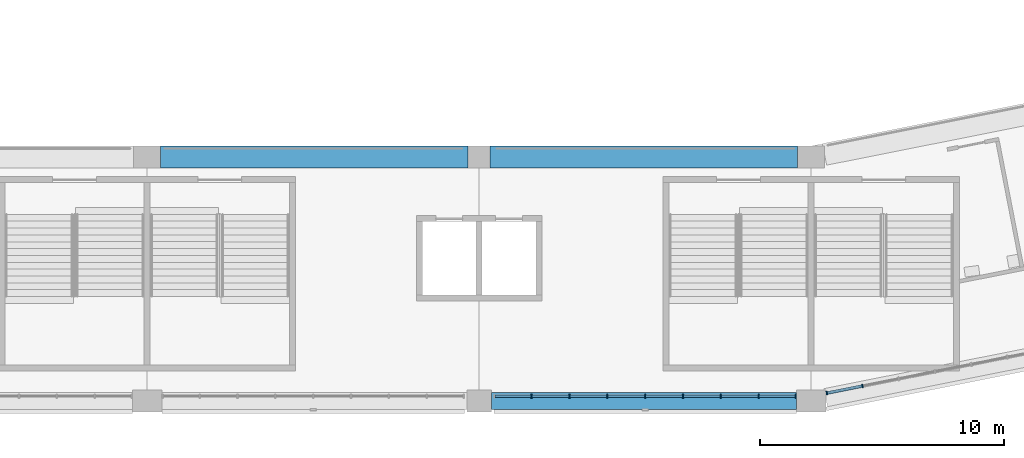
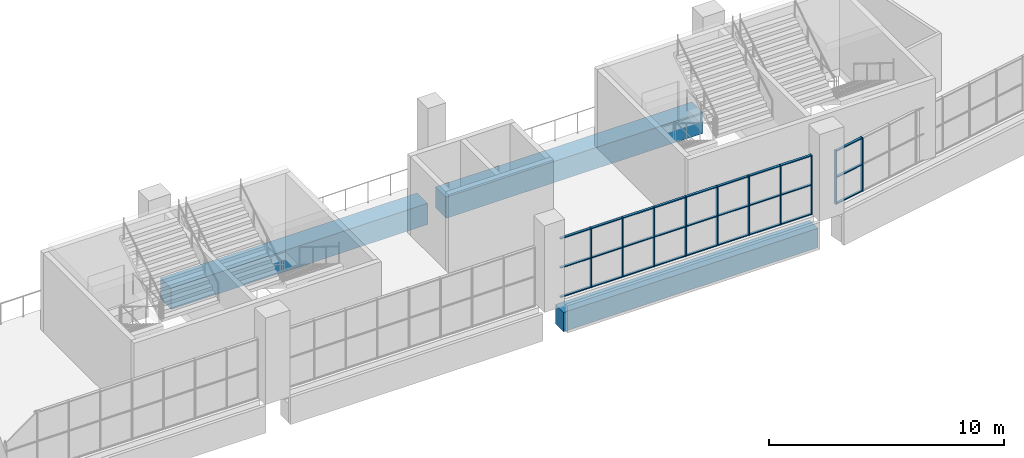
# One storey, part 11 of 177: 37 members, 3 beams, 2 elements without a shape of their own.
"""IFC4 building model written with IfcOpenShell, lengths in metres."""

from ifc_helpers import new_model, si_unit, direction, frame, origin, origin_2d, place, context, subcontext, project, spatial, rectangle, extrude, material, material_profile, profile_set, type_object, element, aggregate, save


model = new_model("IFC4")

# Units and contexts
model_context = context("Model", 3, precision=1e-05, world=origin(), true_north=direction((0.0, 1.0)))
body_context = subcontext(model_context, "Body", "Model", "MODEL_VIEW")
ifc_project = project(units=[si_unit("LENGTHUNIT", "METRE"), si_unit("AREAUNIT", "SQUARE_METRE"), si_unit("VOLUMEUNIT", "CUBIC_METRE"), si_unit("PLANEANGLEUNIT", "RADIAN"), si_unit("MASSUNIT", "GRAM", prefix="KILO")], contexts=[model_context])

# Site, building, storey
site_placement = place(None, origin())
site = spatial("IfcSite", under=ifc_project, at=site_placement, CompositionType="ELEMENT")
building_placement = place(site_placement, origin())
building = spatial("IfcBuilding", under=site, at=building_placement, Name="Ogive Plaza Stadium", CompositionType="ELEMENT")
storey_placement = place(building_placement, frame((0.0, 0.0, 18.0)))
storey = spatial("IfcBuildingStorey", under=building, at=storey_placement, Name="L04", CompositionType="ELEMENT", Elevation=18.0)

# Curtain wall, members
ifc_material_1 = material(Name="Bronze-anodised aluminium with laminated glass", Category="aluminium")
curtain_wall_type = type_object("IfcCurtainWallType", Name="Lancet curtain wall", PredefinedType="NOTDEFINED", material=ifc_material_1)
curtain_wall_1_placement = place(storey_placement, origin())
curtain_wall_1 = element("IfcCurtainWall", 1, at=curtain_wall_1_placement, inside=storey, type_object=curtain_wall_type, Name="CURTAIN WALL B11 L04", PredefinedType="NOTDEFINED")
ifc_material_2 = material(Name="Bronze-anodised aluminium", Category="aluminium")
ifc_material_profile_1 = material_profile(ifc_material_2, rectangle(XDim=0.14990234375, YDim=0.050048828125, at=origin_2d()), Name="AL 150x50")
ifc_profile_set_1 = profile_set([ifc_material_profile_1], Name="Bronze-anodised aluminium")
member_type_1 = type_object("IfcMemberType", Name="Curtain wall mullion 50x150", PredefinedType="MULLION", material=ifc_profile_set_1)
member_1_placement = place(storey_placement, frame((36.104248046875, -101.87744140625, 0.0), z_axis=(0.0, 0.0, 1.0), x_axis=(0.195090322016, -0.980785280403, 0.0)))
member_1 = element("IfcMember", 2, at=member_1_placement, type_object=member_type_1, Name="CW-B11-L04 mullion 12", PredefinedType="MULLION", context=body_context, shape_type="SweptSolid", body=[
    extrude(rectangle(XDim=0.14990234375, YDim=0.050048828125, at=origin_2d()), origin(), (0.0, 0.0, 1.0), 2.7900390625),
])
member_2_placement = place(storey_placement, frame((34.64404296875, -102.16796875, 0.0), z_axis=(0.0, 0.0, 1.0), x_axis=(0.195090322016, -0.980785280403, 0.0)))
member_2 = element("IfcMember", 3, at=member_2_placement, type_object=member_type_1, Name="CW-B11-L04 mullion 13", PredefinedType="MULLION", context=body_context, shape_type="SweptSolid", body=[
    extrude(rectangle(XDim=0.14990234375, YDim=0.050048828125, at=origin_2d()), origin(), (0.0, 0.0, 1.0), 2.7900390625),
])

curtain_wall_2_placement = place(storey_placement, origin())
curtain_wall_2 = element("IfcCurtainWall", 4, at=curtain_wall_2_placement, inside=storey, type_object=curtain_wall_type, Name="CURTAIN WALL B12 L04", PredefinedType="NOTDEFINED")
member_3_placement = place(storey_placement, frame((33.375, -102.300048828125, 0.0), z_axis=(0.0, 0.0, 1.0), x_axis=(0.0, -1.0, 0.0)))
member_3 = element("IfcMember", 5, at=member_3_placement, type_object=member_type_1, Name="CW-B12-L04 mullion 1", PredefinedType="MULLION", context=body_context, shape_type="SweptSolid", body=[
    extrude(rectangle(XDim=0.14990234375, YDim=0.050048828125, at=origin_2d()), origin(), (0.0, 0.0, 1.0), 3.090087890625),
])
member_4_placement = place(storey_placement, frame((31.85009765625, -102.300048828125, 0.0), z_axis=(0.0, 0.0, 1.0), x_axis=(0.0, -1.0, 0.0)))
member_4 = element("IfcMember", 6, at=member_4_placement, type_object=member_type_1, Name="CW-B12-L04 mullion 2", PredefinedType="MULLION", context=body_context, shape_type="SweptSolid", body=[
    extrude(rectangle(XDim=0.14990234375, YDim=0.050048828125, at=origin_2d()), origin(), (0.0, 0.0, 1.0), 3.090087890625),
])
member_5_placement = place(storey_placement, frame((30.300048828125, -102.300048828125, 0.0), z_axis=(0.0, 0.0, 1.0), x_axis=(0.0, -1.0, 0.0)))
member_5 = element("IfcMember", 7, at=member_5_placement, type_object=member_type_1, Name="CW-B12-L04 mullion 3", PredefinedType="MULLION", context=body_context, shape_type="SweptSolid", body=[
    extrude(rectangle(XDim=0.14990234375, YDim=0.050048828125, at=origin_2d()), origin(), (0.0, 0.0, 1.0), 3.090087890625),
])
member_6_placement = place(storey_placement, frame((28.75, -102.300048828125, 0.0), z_axis=(0.0, 0.0, 1.0), x_axis=(0.0, -1.0, 0.0)))
member_6 = element("IfcMember", 8, at=member_6_placement, type_object=member_type_1, Name="CW-B12-L04 mullion 4", PredefinedType="MULLION", context=body_context, shape_type="SweptSolid", body=[
    extrude(rectangle(XDim=0.14990234375, YDim=0.050048828125, at=origin_2d()), origin(), (0.0, 0.0, 1.0), 3.090087890625),
])
member_7_placement = place(storey_placement, frame((27.199951171875, -102.300048828125, 0.0), z_axis=(0.0, 0.0, 1.0), x_axis=(0.0, -1.0, 0.0)))
member_7 = element("IfcMember", 9, at=member_7_placement, type_object=member_type_1, Name="CW-B12-L04 mullion 5", PredefinedType="MULLION", context=body_context, shape_type="SweptSolid", body=[
    extrude(rectangle(XDim=0.14990234375, YDim=0.050048828125, at=origin_2d()), origin(), (0.0, 0.0, 1.0), 3.090087890625),
])
member_8_placement = place(storey_placement, frame((25.64990234375, -102.300048828125, 0.0), z_axis=(0.0, 0.0, 1.0), x_axis=(0.0, -1.0, 0.0)))
member_8 = element("IfcMember", 10, at=member_8_placement, type_object=member_type_1, Name="CW-B12-L04 mullion 6", PredefinedType="MULLION", context=body_context, shape_type="SweptSolid", body=[
    extrude(rectangle(XDim=0.14990234375, YDim=0.050048828125, at=origin_2d()), origin(), (0.0, 0.0, 1.0), 3.090087890625),
])
member_9_placement = place(storey_placement, frame((24.10009765625, -102.300048828125, 0.0), z_axis=(0.0, 0.0, 1.0), x_axis=(0.0, -1.0, 0.0)))
member_9 = element("IfcMember", 11, at=member_9_placement, type_object=member_type_1, Name="CW-B12-L04 mullion 7", PredefinedType="MULLION", context=body_context, shape_type="SweptSolid", body=[
    extrude(rectangle(XDim=0.14990234375, YDim=0.050048828125, at=origin_2d()), origin(), (0.0, 0.0, 1.0), 3.090087890625),
])
member_10_placement = place(storey_placement, frame((22.550048828125, -102.300048828125, 0.0), z_axis=(0.0, 0.0, 1.0), x_axis=(0.0, -1.0, 0.0)))
member_10 = element("IfcMember", 12, at=member_10_placement, type_object=member_type_1, Name="CW-B12-L04 mullion 8", PredefinedType="MULLION", context=body_context, shape_type="SweptSolid", body=[
    extrude(rectangle(XDim=0.14990234375, YDim=0.050048828125, at=origin_2d()), origin(), (0.0, 0.0, 1.0), 3.090087890625),
])

# Member
ifc_material_3 = material(Name="Bronze-anodised aluminium", Category="aluminium")
ifc_material_profile_2 = material_profile(ifc_material_3, rectangle(XDim=0.1201171875, YDim=0.050048828125, at=origin_2d()), Name="AL 120x50")
ifc_profile_set_2 = profile_set([ifc_material_profile_2], Name="Bronze-anodised aluminium")
member_type_2 = type_object("IfcMemberType", Name="Curtain wall transom 50x120", PredefinedType="USERDEFINED", material=ifc_profile_set_2)
member_11_placement = place(storey_placement, frame((36.079833984375, -101.88232421875, 0.02490234375), z_axis=(-0.980782436465, -0.195104618913, 0.0), x_axis=(0.195104618913, -0.980782436465, 0.0)))
member_11 = element("IfcMember", 13, at=member_11_placement, type_object=member_type_2, Name="CW-B11-L04 transom 12.1", ObjectType="TRANSOM", PredefinedType="USERDEFINED", context=body_context, shape_type="SweptSolid", body=[
    extrude(rectangle(XDim=0.1201171875, YDim=0.050048828125, at=origin_2d()), origin(), (0.0, 0.0, 1.0), 1.43896484375),
])

member_12_placement = place(storey_placement, frame((36.079833984375, -101.88232421875, 1.39501953125), z_axis=(-0.980782436465, -0.195104618913, 0.0), x_axis=(0.195104618913, -0.980782436465, 0.0)))
member_12 = element("IfcMember", 14, at=member_12_placement, type_object=member_type_2, Name="CW-B11-L04 transom 12.2", ObjectType="TRANSOM", PredefinedType="USERDEFINED", context=body_context, shape_type="SweptSolid", body=[
    extrude(rectangle(XDim=0.1201171875, YDim=0.050048828125, at=origin_2d()), origin(), (0.0, 0.0, 1.0), 1.43896484375),
])

member_13_placement = place(storey_placement, frame((36.079833984375, -101.88232421875, 2.764892578125), z_axis=(-0.980782436465, -0.195104618913, 0.0), x_axis=(0.195104618913, -0.980782436465, 0.0)))
member_13 = element("IfcMember", 15, at=member_13_placement, type_object=member_type_2, Name="CW-B11-L04 transom 12.3", ObjectType="TRANSOM", PredefinedType="USERDEFINED", context=body_context, shape_type="SweptSolid", body=[
    extrude(rectangle(XDim=0.1201171875, YDim=0.050048828125, at=origin_2d()), origin(), (0.0, 0.0, 1.0), 1.43896484375),
])

aggregate(curtain_wall_1, [member_1, member_2, member_11, member_12, member_13])

member_14_placement = place(storey_placement, frame((33.35009765625, -102.300048828125, 0.02490234375), z_axis=(-1.0, 0.0, 0.0), x_axis=(0.0, -1.0, 0.0)))
member_14 = element("IfcMember", 16, at=member_14_placement, type_object=member_type_2, Name="CW-B12-L04 transom 1.1", ObjectType="TRANSOM", PredefinedType="USERDEFINED", context=body_context, shape_type="SweptSolid", body=[
    extrude(rectangle(XDim=0.1201171875, YDim=0.050048828125, at=origin_2d()), origin(), (0.0, 0.0, 1.0), 1.47509765625),
])

member_15_placement = place(storey_placement, frame((33.35009765625, -102.300048828125, 1.544921875), z_axis=(-1.0, 0.0, 0.0), x_axis=(0.0, -1.0, 0.0)))
member_15 = element("IfcMember", 17, at=member_15_placement, type_object=member_type_2, Name="CW-B12-L04 transom 1.2", ObjectType="TRANSOM", PredefinedType="USERDEFINED", context=body_context, shape_type="SweptSolid", body=[
    extrude(rectangle(XDim=0.1201171875, YDim=0.050048828125, at=origin_2d()), origin(), (0.0, 0.0, 1.0), 1.47509765625),
])

member_16_placement = place(storey_placement, frame((33.35009765625, -102.300048828125, 3.06494140625), z_axis=(-1.0, 0.0, 0.0), x_axis=(0.0, -1.0, 0.0)))
member_16 = element("IfcMember", 18, at=member_16_placement, type_object=member_type_2, Name="CW-B12-L04 transom 1.3", ObjectType="TRANSOM", PredefinedType="USERDEFINED", context=body_context, shape_type="SweptSolid", body=[
    extrude(rectangle(XDim=0.1201171875, YDim=0.050048828125, at=origin_2d()), origin(), (0.0, 0.0, 1.0), 1.47509765625),
])

member_17_placement = place(storey_placement, frame((31.824951171875, -102.300048828125, 0.02490234375), z_axis=(-1.0, 0.0, 0.0), x_axis=(0.0, -1.0, 0.0)))
member_17 = element("IfcMember", 19, at=member_17_placement, type_object=member_type_2, Name="CW-B12-L04 transom 2.1", ObjectType="TRANSOM", PredefinedType="USERDEFINED", context=body_context, shape_type="SweptSolid", body=[
    extrude(rectangle(XDim=0.1201171875, YDim=0.050048828125, at=origin_2d()), origin(), (0.0, 0.0, 1.0), 1.5),
])

member_18_placement = place(storey_placement, frame((31.824951171875, -102.300048828125, 1.544921875), z_axis=(-1.0, 0.0, 0.0), x_axis=(0.0, -1.0, 0.0)))
member_18 = element("IfcMember", 20, at=member_18_placement, type_object=member_type_2, Name="CW-B12-L04 transom 2.2", ObjectType="TRANSOM", PredefinedType="USERDEFINED", context=body_context, shape_type="SweptSolid", body=[
    extrude(rectangle(XDim=0.1201171875, YDim=0.050048828125, at=origin_2d()), origin(), (0.0, 0.0, 1.0), 1.5),
])

member_19_placement = place(storey_placement, frame((31.824951171875, -102.300048828125, 3.06494140625), z_axis=(-1.0, 0.0, 0.0), x_axis=(0.0, -1.0, 0.0)))
member_19 = element("IfcMember", 21, at=member_19_placement, type_object=member_type_2, Name="CW-B12-L04 transom 2.3", ObjectType="TRANSOM", PredefinedType="USERDEFINED", context=body_context, shape_type="SweptSolid", body=[
    extrude(rectangle(XDim=0.1201171875, YDim=0.050048828125, at=origin_2d()), origin(), (0.0, 0.0, 1.0), 1.5),
])

member_20_placement = place(storey_placement, frame((30.27490234375, -102.300048828125, 0.02490234375), z_axis=(-1.0, 0.0, 0.0), x_axis=(0.0, -1.0, 0.0)))
member_20 = element("IfcMember", 22, at=member_20_placement, type_object=member_type_2, Name="CW-B12-L04 transom 3.1", ObjectType="TRANSOM", PredefinedType="USERDEFINED", context=body_context, shape_type="SweptSolid", body=[
    extrude(rectangle(XDim=0.1201171875, YDim=0.050048828125, at=origin_2d()), origin(), (0.0, 0.0, 1.0), 1.5),
])

member_21_placement = place(storey_placement, frame((30.27490234375, -102.300048828125, 1.544921875), z_axis=(-1.0, 0.0, 0.0), x_axis=(0.0, -1.0, 0.0)))
member_21 = element("IfcMember", 23, at=member_21_placement, type_object=member_type_2, Name="CW-B12-L04 transom 3.2", ObjectType="TRANSOM", PredefinedType="USERDEFINED", context=body_context, shape_type="SweptSolid", body=[
    extrude(rectangle(XDim=0.1201171875, YDim=0.050048828125, at=origin_2d()), origin(), (0.0, 0.0, 1.0), 1.5),
])

member_22_placement = place(storey_placement, frame((30.27490234375, -102.300048828125, 3.06494140625), z_axis=(-1.0, 0.0, 0.0), x_axis=(0.0, -1.0, 0.0)))
member_22 = element("IfcMember", 24, at=member_22_placement, type_object=member_type_2, Name="CW-B12-L04 transom 3.3", ObjectType="TRANSOM", PredefinedType="USERDEFINED", context=body_context, shape_type="SweptSolid", body=[
    extrude(rectangle(XDim=0.1201171875, YDim=0.050048828125, at=origin_2d()), origin(), (0.0, 0.0, 1.0), 1.5),
])

member_23_placement = place(storey_placement, frame((28.72509765625, -102.300048828125, 0.02490234375), z_axis=(-1.0, 0.0, 0.0), x_axis=(0.0, -1.0, 0.0)))
member_23 = element("IfcMember", 25, at=member_23_placement, type_object=member_type_2, Name="CW-B12-L04 transom 4.1", ObjectType="TRANSOM", PredefinedType="USERDEFINED", context=body_context, shape_type="SweptSolid", body=[
    extrude(rectangle(XDim=0.1201171875, YDim=0.050048828125, at=origin_2d()), origin(), (0.0, 0.0, 1.0), 1.5),
])

member_24_placement = place(storey_placement, frame((28.72509765625, -102.300048828125, 1.544921875), z_axis=(-1.0, 0.0, 0.0), x_axis=(0.0, -1.0, 0.0)))
member_24 = element("IfcMember", 26, at=member_24_placement, type_object=member_type_2, Name="CW-B12-L04 transom 4.2", ObjectType="TRANSOM", PredefinedType="USERDEFINED", context=body_context, shape_type="SweptSolid", body=[
    extrude(rectangle(XDim=0.1201171875, YDim=0.050048828125, at=origin_2d()), origin(), (0.0, 0.0, 1.0), 1.5),
])

member_25_placement = place(storey_placement, frame((28.72509765625, -102.300048828125, 3.06494140625), z_axis=(-1.0, 0.0, 0.0), x_axis=(0.0, -1.0, 0.0)))
member_25 = element("IfcMember", 27, at=member_25_placement, type_object=member_type_2, Name="CW-B12-L04 transom 4.3", ObjectType="TRANSOM", PredefinedType="USERDEFINED", context=body_context, shape_type="SweptSolid", body=[
    extrude(rectangle(XDim=0.1201171875, YDim=0.050048828125, at=origin_2d()), origin(), (0.0, 0.0, 1.0), 1.5),
])

member_26_placement = place(storey_placement, frame((27.175048828125, -102.300048828125, 0.02490234375), z_axis=(-1.0, 0.0, 0.0), x_axis=(0.0, -1.0, 0.0)))
member_26 = element("IfcMember", 28, at=member_26_placement, type_object=member_type_2, Name="CW-B12-L04 transom 5.1", ObjectType="TRANSOM", PredefinedType="USERDEFINED", context=body_context, shape_type="SweptSolid", body=[
    extrude(rectangle(XDim=0.1201171875, YDim=0.050048828125, at=origin_2d()), origin(), (0.0, 0.0, 1.0), 1.5),
])

member_27_placement = place(storey_placement, frame((27.175048828125, -102.300048828125, 1.544921875), z_axis=(-1.0, 0.0, 0.0), x_axis=(0.0, -1.0, 0.0)))
member_27 = element("IfcMember", 29, at=member_27_placement, type_object=member_type_2, Name="CW-B12-L04 transom 5.2", ObjectType="TRANSOM", PredefinedType="USERDEFINED", context=body_context, shape_type="SweptSolid", body=[
    extrude(rectangle(XDim=0.1201171875, YDim=0.050048828125, at=origin_2d()), origin(), (0.0, 0.0, 1.0), 1.5),
])

member_28_placement = place(storey_placement, frame((27.175048828125, -102.300048828125, 3.06494140625), z_axis=(-1.0, 0.0, 0.0), x_axis=(0.0, -1.0, 0.0)))
member_28 = element("IfcMember", 30, at=member_28_placement, type_object=member_type_2, Name="CW-B12-L04 transom 5.3", ObjectType="TRANSOM", PredefinedType="USERDEFINED", context=body_context, shape_type="SweptSolid", body=[
    extrude(rectangle(XDim=0.1201171875, YDim=0.050048828125, at=origin_2d()), origin(), (0.0, 0.0, 1.0), 1.5),
])

member_29_placement = place(storey_placement, frame((25.625, -102.300048828125, 0.02490234375), z_axis=(-1.0, 0.0, 0.0), x_axis=(0.0, -1.0, 0.0)))
member_29 = element("IfcMember", 31, at=member_29_placement, type_object=member_type_2, Name="CW-B12-L04 transom 6.1", ObjectType="TRANSOM", PredefinedType="USERDEFINED", context=body_context, shape_type="SweptSolid", body=[
    extrude(rectangle(XDim=0.1201171875, YDim=0.050048828125, at=origin_2d()), origin(), (0.0, 0.0, 1.0), 1.5),
])

member_30_placement = place(storey_placement, frame((25.625, -102.300048828125, 1.544921875), z_axis=(-1.0, 0.0, 0.0), x_axis=(0.0, -1.0, 0.0)))
member_30 = element("IfcMember", 32, at=member_30_placement, type_object=member_type_2, Name="CW-B12-L04 transom 6.2", ObjectType="TRANSOM", PredefinedType="USERDEFINED", context=body_context, shape_type="SweptSolid", body=[
    extrude(rectangle(XDim=0.1201171875, YDim=0.050048828125, at=origin_2d()), origin(), (0.0, 0.0, 1.0), 1.5),
])

member_31_placement = place(storey_placement, frame((25.625, -102.300048828125, 3.06494140625), z_axis=(-1.0, 0.0, 0.0), x_axis=(0.0, -1.0, 0.0)))
member_31 = element("IfcMember", 33, at=member_31_placement, type_object=member_type_2, Name="CW-B12-L04 transom 6.3", ObjectType="TRANSOM", PredefinedType="USERDEFINED", context=body_context, shape_type="SweptSolid", body=[
    extrude(rectangle(XDim=0.1201171875, YDim=0.050048828125, at=origin_2d()), origin(), (0.0, 0.0, 1.0), 1.5),
])

member_32_placement = place(storey_placement, frame((24.074951171875, -102.300048828125, 0.02490234375), z_axis=(-1.0, 0.0, 0.0), x_axis=(0.0, -1.0, 0.0)))
member_32 = element("IfcMember", 34, at=member_32_placement, type_object=member_type_2, Name="CW-B12-L04 transom 7.1", ObjectType="TRANSOM", PredefinedType="USERDEFINED", context=body_context, shape_type="SweptSolid", body=[
    extrude(rectangle(XDim=0.1201171875, YDim=0.050048828125, at=origin_2d()), origin(), (0.0, 0.0, 1.0), 1.5),
])

member_33_placement = place(storey_placement, frame((24.074951171875, -102.300048828125, 1.544921875), z_axis=(-1.0, 0.0, 0.0), x_axis=(0.0, -1.0, 0.0)))
member_33 = element("IfcMember", 35, at=member_33_placement, type_object=member_type_2, Name="CW-B12-L04 transom 7.2", ObjectType="TRANSOM", PredefinedType="USERDEFINED", context=body_context, shape_type="SweptSolid", body=[
    extrude(rectangle(XDim=0.1201171875, YDim=0.050048828125, at=origin_2d()), origin(), (0.0, 0.0, 1.0), 1.5),
])

member_34_placement = place(storey_placement, frame((24.074951171875, -102.300048828125, 3.06494140625), z_axis=(-1.0, 0.0, 0.0), x_axis=(0.0, -1.0, 0.0)))
member_34 = element("IfcMember", 36, at=member_34_placement, type_object=member_type_2, Name="CW-B12-L04 transom 7.3", ObjectType="TRANSOM", PredefinedType="USERDEFINED", context=body_context, shape_type="SweptSolid", body=[
    extrude(rectangle(XDim=0.1201171875, YDim=0.050048828125, at=origin_2d()), origin(), (0.0, 0.0, 1.0), 1.5),
])

member_35_placement = place(storey_placement, frame((22.52490234375, -102.300048828125, 0.02490234375), z_axis=(-1.0, 0.0, 0.0), x_axis=(0.0, -1.0, 0.0)))
member_35 = element("IfcMember", 37, at=member_35_placement, type_object=member_type_2, Name="CW-B12-L04 transom 8.1", ObjectType="TRANSOM", PredefinedType="USERDEFINED", context=body_context, shape_type="SweptSolid", body=[
    extrude(rectangle(XDim=0.1201171875, YDim=0.050048828125, at=origin_2d()), origin(), (0.0, 0.0, 1.0), 1.474853515625),
])

member_36_placement = place(storey_placement, frame((22.52490234375, -102.300048828125, 1.544921875), z_axis=(-1.0, 0.0, 0.0), x_axis=(0.0, -1.0, 0.0)))
member_36 = element("IfcMember", 38, at=member_36_placement, type_object=member_type_2, Name="CW-B12-L04 transom 8.2", ObjectType="TRANSOM", PredefinedType="USERDEFINED", context=body_context, shape_type="SweptSolid", body=[
    extrude(rectangle(XDim=0.1201171875, YDim=0.050048828125, at=origin_2d()), origin(), (0.0, 0.0, 1.0), 1.474853515625),
])

member_37_placement = place(storey_placement, frame((22.52490234375, -102.300048828125, 3.06494140625), z_axis=(-1.0, 0.0, 0.0), x_axis=(0.0, -1.0, 0.0)))
member_37 = element("IfcMember", 39, at=member_37_placement, type_object=member_type_2, Name="CW-B12-L04 transom 8.3", ObjectType="TRANSOM", PredefinedType="USERDEFINED", context=body_context, shape_type="SweptSolid", body=[
    extrude(rectangle(XDim=0.1201171875, YDim=0.050048828125, at=origin_2d()), origin(), (0.0, 0.0, 1.0), 1.474853515625),
])

aggregate(curtain_wall_2, [member_3, member_4, member_5, member_6, member_7, member_8, member_9, member_10, member_14, member_15, member_16, member_17, member_18, member_19, member_20, member_21, member_22, member_23, member_24, member_25, member_26, member_27, member_28, member_29, member_30, member_31, member_32, member_33, member_34, member_35, member_36, member_37])

# Beams
ifc_material_4 = material(Name="Concrete C40/50", Category="concrete")
ifc_material_profile_3 = material_profile(ifc_material_4, rectangle(XDim=0.89990234375, YDim=1.10009765625, at=origin_2d()), Name="RC 900x1100")
ifc_profile_set_3 = profile_set([ifc_material_profile_3], Name="Concrete C40/50")
beam_type_1 = type_object("IfcBeamType", Name="RC ring beam 900x1100", PredefinedType="BEAM", material=ifc_profile_set_3)
for number, where, z_axis, x_axis, name in (
    (40, (33.449951171875, -92.5, -0.9599609375), (-1.0, 0.0, 0.0), (0.0, -1.0, 0.0), "Ring beam F4 L04 B12"),
    (41, (19.949951171875, -92.5, -0.9599609375), (-1.0, 0.0, 0.0), (0.0, -1.0, 0.0), "Ring beam F4 L04 B13"),
):
    element("IfcBeam", number, at=place(storey_placement, frame(where, z_axis=z_axis, x_axis=x_axis)), inside=storey, type_object=beam_type_1, Name=name, PredefinedType="BEAM", context=body_context, shape_type="SweptSolid", body=[
        extrude(rectangle(XDim=0.89990234375, YDim=1.10009765625, at=origin_2d()), origin(), (0.0, 0.0, 1.0), 12.599853515625),
    ])
ifc_material_5 = material(Name="Concrete C40/50", Category="concrete")
ifc_material_profile_4 = material_profile(ifc_material_5, rectangle(XDim=0.699951171875, YDim=1.0, at=origin_2d()), Name="RC 700x1000")
ifc_profile_set_4 = profile_set([ifc_material_profile_4], Name="Concrete C40/50")
beam_type_2 = type_object("IfcBeamType", Name="RC spandrel beam 700x1000", PredefinedType="SPANDREL", material=ifc_profile_set_4)
beam_placement = place(storey_placement, frame((33.39990234375, -102.5, -0.909912109375), z_axis=(-1.0, 0.0, 0.0), x_axis=(0.0, -1.0, 0.0)))
element("IfcBeam", 42, at=beam_placement, inside=storey, type_object=beam_type_2, Name="Ring beam F5 L04 B12", PredefinedType="SPANDREL", context=body_context, shape_type="SweptSolid", body=[
    extrude(rectangle(XDim=0.699951171875, YDim=1.0, at=origin_2d()), origin(), (0.0, 0.0, 1.0), 12.5),
])

save(model, "model.ifc")
